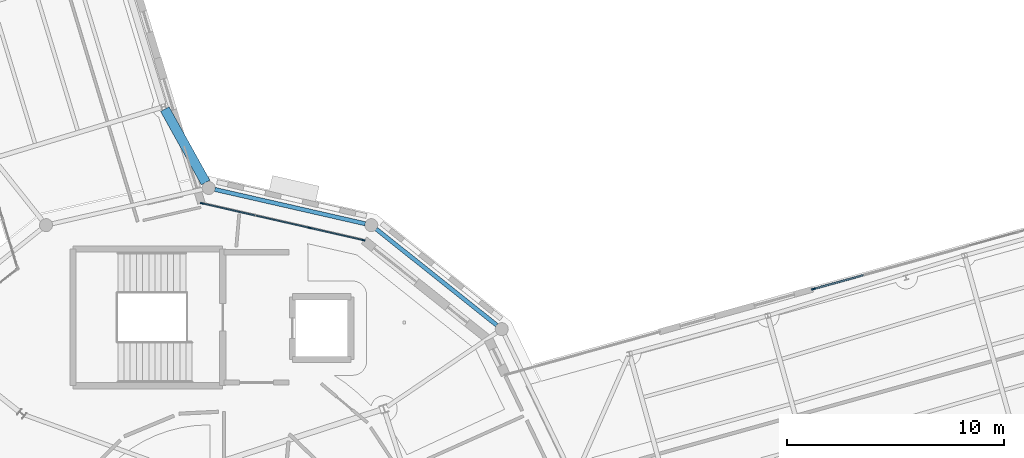
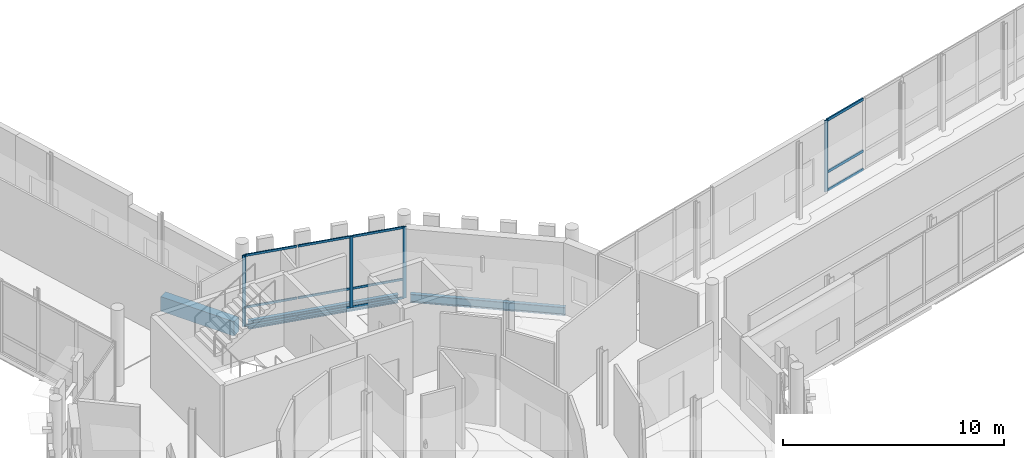
# One storey, part 32 of 125: 16 members, 3 beams, 2 elements without a shape of their own.
"""IFC4 building model written with IfcOpenShell, lengths in metres."""

from ifc_helpers import new_model, si_unit, direction, frame, origin, origin_2d, place, context, subcontext, project, spatial, rectangle, i_section, extrude, material, material_profile, profile_set, type_object, element, aggregate, save


model = new_model("IFC4")

# Units and contexts
model_context = context("Model", 3, precision=1e-05, world=origin(), true_north=direction((0.0, 1.0)))
body_context = subcontext(model_context, "Body", "Model", "MODEL_VIEW")
ifc_project = project(units=[si_unit("LENGTHUNIT", "METRE"), si_unit("AREAUNIT", "SQUARE_METRE"), si_unit("VOLUMEUNIT", "CUBIC_METRE"), si_unit("PLANEANGLEUNIT", "RADIAN"), si_unit("MASSUNIT", "GRAM", prefix="KILO")], contexts=[model_context])

# Site, building, storey
site_placement = place(None, origin())
site = spatial("IfcSite", under=ifc_project, at=site_placement, CompositionType="ELEMENT")
building_placement = place(site_placement, origin())
building = spatial("IfcBuilding", under=site, at=building_placement, Name="Wrenclough Park School", CompositionType="ELEMENT")
storey_placement = place(building_placement, frame((0.0, 0.0, 4.199951171875)))
storey = spatial("IfcBuildingStorey", under=building, at=storey_placement, Name="L01", CompositionType="ELEMENT", Elevation=4.199951171875)

# Curtain wall, members
ifc_material_1 = material(Name="Thermally broken aluminium and low-e glass curtain wall", Category="aluminium")
curtain_wall_type_1 = type_object("IfcCurtainWallType", Name="ENV-CW-14", PredefinedType="USERDEFINED", material=ifc_material_1)
curtain_wall_1_placement = place(storey_placement, origin())
curtain_wall_1 = element("IfcCurtainWall", 1, at=curtain_wall_1_placement, inside=storey, type_object=curtain_wall_type_1, Name="L01 recessed curtain wall assembly 141", ObjectType="CURTAIN WALL", PredefinedType="USERDEFINED")
ifc_material_2 = material(Name="Thermally broken anodised aluminium", Category="aluminium")
ifc_material_profile_1 = material_profile(ifc_material_2, rectangle(XDim=0.06005859375, YDim=0.159912109375, at=origin_2d()), Name="AL MULLION 60x160")
ifc_profile_set_1 = profile_set([ifc_material_profile_1], Name="Thermally broken anodised aluminium")
member_type_1 = type_object("IfcMemberType", Name="ENV-CWM-1", PredefinedType="MULLION", material=ifc_profile_set_1)
member_1_placement = place(storey_placement, frame((36.1982421875, 40.0458984375, 0.0), z_axis=(0.0, 0.0, 1.0), x_axis=(0.222516036679, 0.97492902994, 0.0)))
member_1 = element("IfcMember", 2, at=member_1_placement, type_object=member_type_1, Name="CW-14 mullion 1", PredefinedType="MULLION", context=body_context, shape_type="SweptSolid", body=[
    extrude(rectangle(XDim=0.06005859375, YDim=0.159912109375, at=origin_2d()), origin(), (0.0, 0.0, 1.0), 3.93994140625),
])
member_2_placement = place(storey_placement, frame((41.153076171875, 38.914794921875, 0.0), z_axis=(0.0, 0.0, 1.0), x_axis=(0.222516036679, 0.97492902994, 0.0)))
member_2 = element("IfcMember", 3, at=member_2_placement, type_object=member_type_1, Name="CW-14 mullion 3", PredefinedType="MULLION", context=body_context, shape_type="SweptSolid", body=[
    extrude(rectangle(XDim=0.06005859375, YDim=0.159912109375, at=origin_2d()), origin(), (0.0, 0.0, 1.0), 3.93994140625),
])
member_3_placement = place(storey_placement, frame((43.615966796875, 38.352783203125, 0.0), z_axis=(0.0, 0.0, 1.0), x_axis=(0.222516036679, 0.97492902994, 0.0)))
member_3 = element("IfcMember", 4, at=member_3_placement, type_object=member_type_1, Name="CW-14 mullion 4", PredefinedType="MULLION", context=body_context, shape_type="SweptSolid", body=[
    extrude(rectangle(XDim=0.06005859375, YDim=0.159912109375, at=origin_2d()), origin(), (0.0, 0.0, 1.0), 3.93994140625),
])

# Curtain wall, member
curtain_wall_type_2 = type_object("IfcCurtainWallType", Name="ENV-CW-16", PredefinedType="USERDEFINED", material=ifc_material_1)
curtain_wall_2_placement = place(storey_placement, origin())
curtain_wall_2 = element("IfcCurtainWall", 5, at=curtain_wall_2_placement, inside=storey, type_object=curtain_wall_type_2, Name="L01 recessed curtain wall assembly 143", ObjectType="CURTAIN WALL", PredefinedType="USERDEFINED")
ifc_material_profile_2 = material_profile(ifc_material_2, rectangle(XDim=0.070068359375, YDim=0.199951171875, at=origin_2d()), Name="AL MULLION 70x200")
ifc_profile_set_2 = profile_set([ifc_material_profile_2], Name="Thermally broken anodised aluminium")
member_type_2 = type_object("IfcMemberType", Name="ENV-CWM-3", PredefinedType="MULLION", material=ifc_profile_set_2)
member_4_placement = place(storey_placement, frame((64.335205078125, 36.103271484375, 0.0), z_axis=(0.0, 0.0, 1.0), x_axis=(-0.268072383958, 0.963398773592, 0.0)))
member_4 = element("IfcMember", 6, at=member_4_placement, type_object=member_type_2, Name="CW-16 mullion 1", PredefinedType="MULLION", context=body_context, shape_type="SweptSolid", body=[
    extrude(rectangle(XDim=0.070068359375, YDim=0.199951171875, at=origin_2d()), origin(), (0.0, 0.0, 1.0), 3.93994140625),
])

# Member
ifc_material_profile_3 = material_profile(ifc_material_2, rectangle(XDim=0.06005859375, YDim=0.1201171875, at=origin_2d()), Name="AL TRANSOM 60x120")
ifc_profile_set_3 = profile_set([ifc_material_profile_3], Name="Thermally broken anodised aluminium")
member_type_3 = type_object("IfcMemberType", Name="ENV-CWT-1", PredefinedType="USERDEFINED", material=ifc_profile_set_3)
member_5_placement = place(storey_placement, frame((36.227294921875, 40.0390625, 0.030029296875), z_axis=(0.974948738208, -0.222429669485, 0.0), x_axis=(0.222429669485, 0.974948738208, 0.0)))
member_5 = element("IfcMember", 7, at=member_5_placement, type_object=member_type_3, Name="CW-14 transom 1.1", ObjectType="TRANSOM", PredefinedType="USERDEFINED", context=body_context, shape_type="SweptSolid", body=[
    extrude(rectangle(XDim=0.06005859375, YDim=0.1201171875, at=origin_2d()), origin(), (0.0, 0.0, 1.0), 2.46630859375),
])

member_6_placement = place(storey_placement, frame((36.227294921875, 40.0390625, 1.050048828125), z_axis=(0.974948738208, -0.222429669485, 0.0), x_axis=(0.222429669485, 0.974948738208, 0.0)))
member_6 = element("IfcMember", 8, at=member_6_placement, type_object=member_type_3, Name="CW-14 transom 1.2", ObjectType="TRANSOM", PredefinedType="USERDEFINED", context=body_context, shape_type="SweptSolid", body=[
    extrude(rectangle(XDim=0.06005859375, YDim=0.1201171875, at=origin_2d()), origin(), (0.0, 0.0, 1.0), 2.46630859375),
])

member_7_placement = place(storey_placement, frame((36.227294921875, 40.0390625, 3.91015625), z_axis=(0.974948738208, -0.222429669485, 0.0), x_axis=(0.222429669485, 0.974948738208, 0.0)))
member_7 = element("IfcMember", 9, at=member_7_placement, type_object=member_type_3, Name="CW-14 transom 1.3", ObjectType="TRANSOM", PredefinedType="USERDEFINED", context=body_context, shape_type="SweptSolid", body=[
    extrude(rectangle(XDim=0.06005859375, YDim=0.1201171875, at=origin_2d()), origin(), (0.0, 0.0, 1.0), 2.46630859375),
])

member_8_placement = place(storey_placement, frame((38.690185546875, 39.47705078125, 0.030029296875), z_axis=(0.97493553239, -0.222487545008, 0.0), x_axis=(0.222487545008, 0.97493553239, 0.0)))
member_8 = element("IfcMember", 10, at=member_8_placement, type_object=member_type_3, Name="CW-14 transom 2.1", ObjectType="TRANSOM", PredefinedType="USERDEFINED", context=body_context, shape_type="SweptSolid", body=[
    extrude(rectangle(XDim=0.06005859375, YDim=0.1201171875, at=origin_2d()), origin(), (0.0, 0.0, 1.0), 2.496337890625),
])

member_9_placement = place(storey_placement, frame((38.690185546875, 39.47705078125, 1.050048828125), z_axis=(0.97493553239, -0.222487545008, 0.0), x_axis=(0.222487545008, 0.97493553239, 0.0)))
member_9 = element("IfcMember", 11, at=member_9_placement, type_object=member_type_3, Name="CW-14 transom 2.2", ObjectType="TRANSOM", PredefinedType="USERDEFINED", context=body_context, shape_type="SweptSolid", body=[
    extrude(rectangle(XDim=0.06005859375, YDim=0.1201171875, at=origin_2d()), origin(), (0.0, 0.0, 1.0), 2.496337890625),
])

member_10_placement = place(storey_placement, frame((38.690185546875, 39.47705078125, 3.91015625), z_axis=(0.97493553239, -0.222487545008, 0.0), x_axis=(0.222487545008, 0.97493553239, 0.0)))
member_10 = element("IfcMember", 12, at=member_10_placement, type_object=member_type_3, Name="CW-14 transom 2.3", ObjectType="TRANSOM", PredefinedType="USERDEFINED", context=body_context, shape_type="SweptSolid", body=[
    extrude(rectangle(XDim=0.06005859375, YDim=0.1201171875, at=origin_2d()), origin(), (0.0, 0.0, 1.0), 2.496337890625),
])

member_11_placement = place(storey_placement, frame((41.182373046875, 38.908203125, 0.030029296875), z_axis=(0.974927267497, -0.222523758486, 0.0), x_axis=(0.222523758486, 0.974927267497, 0.0)))
member_11 = element("IfcMember", 13, at=member_11_placement, type_object=member_type_3, Name="CW-14 transom 3.1", ObjectType="TRANSOM", PredefinedType="USERDEFINED", context=body_context, shape_type="SweptSolid", body=[
    extrude(rectangle(XDim=0.06005859375, YDim=0.1201171875, at=origin_2d()), origin(), (0.0, 0.0, 1.0), 2.46630859375),
])

member_12_placement = place(storey_placement, frame((41.182373046875, 38.908203125, 1.050048828125), z_axis=(0.974927267497, -0.222523758486, 0.0), x_axis=(0.222523758486, 0.974927267497, 0.0)))
member_12 = element("IfcMember", 14, at=member_12_placement, type_object=member_type_3, Name="CW-14 transom 3.2", ObjectType="TRANSOM", PredefinedType="USERDEFINED", context=body_context, shape_type="SweptSolid", body=[
    extrude(rectangle(XDim=0.06005859375, YDim=0.1201171875, at=origin_2d()), origin(), (0.0, 0.0, 1.0), 2.46630859375),
])

member_13_placement = place(storey_placement, frame((41.182373046875, 38.908203125, 3.91015625), z_axis=(0.974927267497, -0.222523758486, 0.0), x_axis=(0.222523758486, 0.974927267497, 0.0)))
member_13 = element("IfcMember", 15, at=member_13_placement, type_object=member_type_3, Name="CW-14 transom 3.3", ObjectType="TRANSOM", PredefinedType="USERDEFINED", context=body_context, shape_type="SweptSolid", body=[
    extrude(rectangle(XDim=0.06005859375, YDim=0.1201171875, at=origin_2d()), origin(), (0.0, 0.0, 1.0), 2.46630859375),
])

aggregate(curtain_wall_1, [member_1, member_2, member_3, member_5, member_6, member_7, member_8, member_9, member_10, member_11, member_12, member_13])

ifc_material_profile_4 = material_profile(ifc_material_2, rectangle(XDim=0.070068359375, YDim=0.14990234375, at=origin_2d()), Name="AL TRANSOM 70x150")
ifc_profile_set_4 = profile_set([ifc_material_profile_4], Name="Thermally broken anodised aluminium")
member_type_4 = type_object("IfcMemberType", Name="ENV-CWT-3", PredefinedType="USERDEFINED", material=ifc_profile_set_4)
member_14_placement = place(storey_placement, frame((64.368896484375, 36.112548828125, 0.03515625), z_axis=(0.96338466109, 0.268123096313, 0.0), x_axis=(-0.268123096313, 0.96338466109, 0.0)))
member_14 = element("IfcMember", 16, at=member_14_placement, type_object=member_type_4, Name="CW-16 transom 1.1", ObjectType="TRANSOM", PredefinedType="USERDEFINED", context=body_context, shape_type="SweptSolid", body=[
    extrude(rectangle(XDim=0.070068359375, YDim=0.14990234375, at=origin_2d()), origin(), (0.0, 0.0, 1.0), 2.33837890625),
])

member_15_placement = place(storey_placement, frame((64.368896484375, 36.112548828125, 1.050048828125), z_axis=(0.96338466109, 0.268123096313, 0.0), x_axis=(-0.268123096313, 0.96338466109, 0.0)))
member_15 = element("IfcMember", 17, at=member_15_placement, type_object=member_type_4, Name="CW-16 transom 1.2", ObjectType="TRANSOM", PredefinedType="USERDEFINED", context=body_context, shape_type="SweptSolid", body=[
    extrude(rectangle(XDim=0.070068359375, YDim=0.14990234375, at=origin_2d()), origin(), (0.0, 0.0, 1.0), 2.33837890625),
])

member_16_placement = place(storey_placement, frame((64.368896484375, 36.112548828125, 3.905029296875), z_axis=(0.96338466109, 0.268123096313, 0.0), x_axis=(-0.268123096313, 0.96338466109, 0.0)))
member_16 = element("IfcMember", 18, at=member_16_placement, type_object=member_type_4, Name="CW-16 transom 1.3", ObjectType="TRANSOM", PredefinedType="USERDEFINED", context=body_context, shape_type="SweptSolid", body=[
    extrude(rectangle(XDim=0.070068359375, YDim=0.14990234375, at=origin_2d()), origin(), (0.0, 0.0, 1.0), 2.33837890625),
])

aggregate(curtain_wall_2, [member_4, member_14, member_15, member_16])

# Beams
ifc_material_3 = material(Name="Concrete C40/50", Category="concrete")
ifc_material_profile_5 = material_profile(ifc_material_3, rectangle(XDim=0.449951171875, YDim=0.800048828125, at=origin_2d()), Name="RC BEAM 450x800")
ifc_profile_set_5 = profile_set([ifc_material_profile_5], Name="Concrete C40/50")
beam_type_1 = type_object("IfcBeamType", Name="STR-BM-RC450", PredefinedType="BEAM", material=ifc_profile_set_5)
beam_placement = place(storey_placement, frame((34.483154296875, 44.382080078125, -0.64990234375), z_axis=(0.48543919422, -0.874270432255, 0.0), x_axis=(0.874270432255, 0.48543919422, 0.0)))
element("IfcBeam", 19, at=beam_placement, inside=storey, type_object=beam_type_1, Name="W23 L01 drum junction tie beam 12", PredefinedType="BEAM", context=body_context, shape_type="SweptSolid", body=[
    extrude(rectangle(XDim=0.449951171875, YDim=0.800048828125, at=origin_2d()), origin(), (0.0, 0.0, 1.0), 3.866455078125),
])
ifc_material_4 = material(Name="Structural steel S355", Category="steel")
ifc_material_profile_6 = material_profile(ifc_material_4, i_section(OverallWidth=0.19140625, OverallDepth=0.4599609375, WebThickness=0.010009765625, FlangeThickness=0.01611328125, FilletRadius=0.01025390625, at=origin_2d()), Name="UKB 457x191x82")
ifc_profile_set_6 = profile_set([ifc_material_profile_6], Name="Structural steel S355")
beam_type_2 = type_object("IfcBeamType", Name="STR-BM-UKB457B", PredefinedType="SPANDREL", material=ifc_profile_set_6)
for number, where, z_axis, x_axis, name in (
    (20, (49.761474609375, 34.434814453125, -0.47998046875), (-0.781840614213, 0.623478350841, 0.0), (-0.623478350841, -0.781840614213, 0.0), "D2 L01 outer ring spandrel beam 2"),
    (21, (43.70361328125, 39.105712890625, -0.47998046875), (-0.974928448916, 0.222518582359, 0.0), (-0.222518582359, -0.974928448916, 0.0), "D2 L01 outer ring spandrel beam 3"),
):
    element("IfcBeam", number, at=place(storey_placement, frame(where, z_axis=z_axis, x_axis=x_axis)), inside=storey, type_object=beam_type_2, Name=name, PredefinedType="SPANDREL", context=body_context, shape_type="SweptSolid", body=[
        extrude(i_section(OverallWidth=0.19140625, OverallDepth=0.4599609375, WebThickness=0.010009765625, FlangeThickness=0.01611328125, FilletRadius=0.01025390625, at=origin_2d()), origin(), (0.0, 0.0, 1.0), 7.100830078125),
    ])

save(model, "model.ifc")
